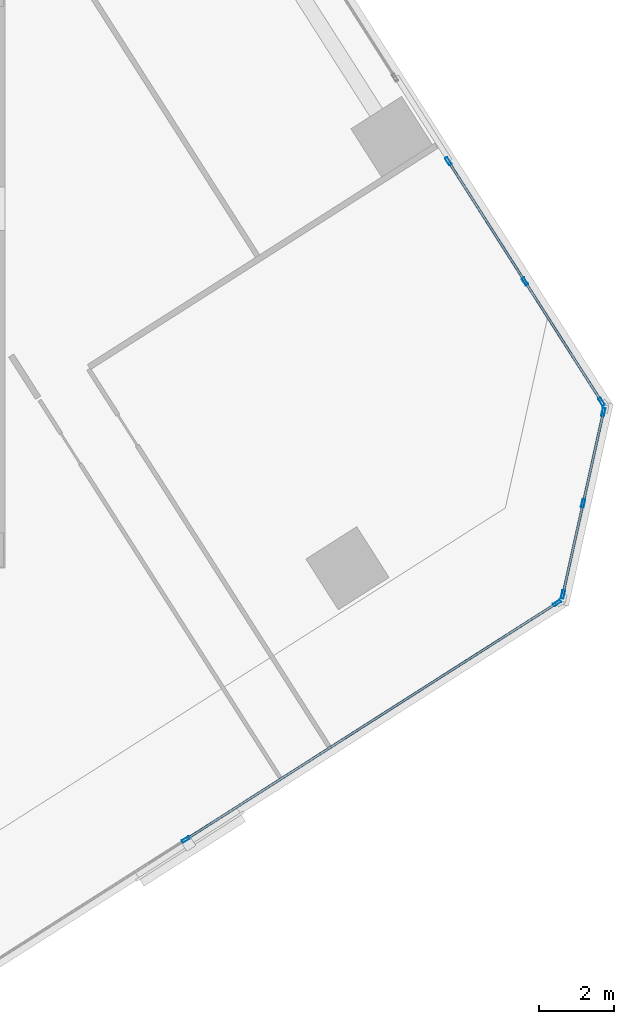
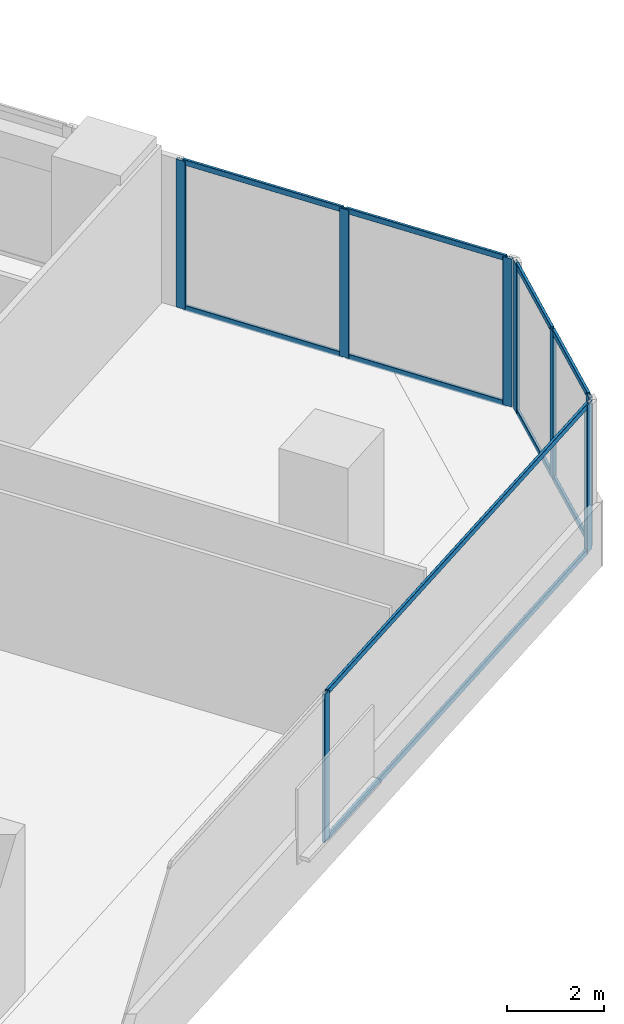
# One storey, part 5 of 14: 18 members, 3 elements without a shape of their own.
"""IFC4 building model written with IfcOpenShell, lengths in metres."""

from ifc_helpers import new_model, si_unit, direction, frame, origin, origin_2d, place, context, subcontext, project, spatial, hollow_rectangle, extrude, source, transform, mapped, material, material_profile, profile_set, type_object, element, aggregate, save


model = new_model("IFC4")

# Units and contexts
model_context = context("Model", 3, precision=1e-05, world=origin(), true_north=direction((0.0, 1.0)))
body_context = subcontext(model_context, "Body", "Model", "MODEL_VIEW")
ifc_project = project(units=[si_unit("LENGTHUNIT", "METRE"), si_unit("AREAUNIT", "SQUARE_METRE"), si_unit("VOLUMEUNIT", "CUBIC_METRE"), si_unit("PLANEANGLEUNIT", "RADIAN"), si_unit("MASSUNIT", "GRAM", prefix="KILO")], contexts=[model_context])

# Site, building, storey
site_placement = place(None, origin())
site = spatial("IfcSite", under=ifc_project, at=site_placement, CompositionType="ELEMENT")
building_placement = place(site_placement, origin())
building = spatial("IfcBuilding", under=site, at=building_placement, Name="Torre Montelarca", CompositionType="ELEMENT")
storey_placement = place(building_placement, frame((0.0, 0.0, 315.60009765625)))
storey = spatial("IfcBuildingStorey", under=building, at=storey_placement, Name="L71", CompositionType="ELEMENT", Elevation=315.60009765625)

# Curtain wall, members
ifc_material_1 = material(Name="Insulated low-E laminated glass", Category="glass")
curtain_wall_type = type_object("IfcCurtainWallType", Name="CW-SYS-Z4", PredefinedType="USERDEFINED", material=ifc_material_1)
curtain_wall_1_placement = place(storey_placement, origin())
curtain_wall_1 = element("IfcCurtainWall", 1, at=curtain_wall_1_placement, inside=storey, type_object=curtain_wall_type, Name="L71 Curtain Wall Run CW-T3-L71-E06-B1", ObjectType="UNITISED GLAZING", PredefinedType="USERDEFINED")
ifc_material_2 = material(Name="Anodised aluminium AA 6063-T6", Category="aluminium")
ifc_material_profile_1 = material_profile(ifc_material_2, hollow_rectangle(XDim=0.074951171875, YDim=0.219970703125, WallThickness=0.0048828125, InnerFilletRadius=0.0048828125, OuterFilletRadius=0.010009765625, at=origin_2d()), Name="ALU75X220X5", Category="aluminium")
ifc_profile_set_1 = profile_set([ifc_material_profile_1], Name="Anodised aluminium AA 6063-T6")
member_type_1 = type_object("IfcMemberType", Name="CWM-ALU220", PredefinedType="MULLION", material=ifc_profile_set_1)
shared_shape_1 = source(origin(), body_context, "Body", "SweptSolid", [
    extrude(hollow_rectangle(XDim=0.074951171875, YDim=0.219970703125, WallThickness=0.0048828125, InnerFilletRadius=0.0048828125, OuterFilletRadius=0.010009765625, at=origin_2d()), origin(), (0.0, 0.0, 1.0), 3.719970703125),
])
member_1_placement = place(storey_placement, frame((31.73828125, 16.85986328125, 0.0), z_axis=(0.0, 0.0, 1.0), x_axis=(-0.537301679311, 0.84339012646, 0.0)))
member_1 = element("IfcMember", 2, at=member_1_placement, type_object=member_type_1, Name="CW mullion 2", PredefinedType="MULLION", context=body_context, shape_type="MappedRepresentation", body=[
    mapped(shared_shape_1, transform((0.0, 0.0, 0.0), scale=1.0)),
])
member_2_placement = place(storey_placement, frame((41.60302734375, 23.14453125, 0.0), z_axis=(0.0, 0.0, 1.0), x_axis=(-0.537301679311, 0.84339012646, 0.0)))
member_2 = element("IfcMember", 3, at=member_2_placement, type_object=member_type_1, Name="CW mullion 3", PredefinedType="MULLION", context=body_context, shape_type="MappedRepresentation", body=[
    mapped(shared_shape_1, transform((0.0, 0.0, 0.0), scale=1.0)),
])

curtain_wall_2_placement = place(storey_placement, origin())
curtain_wall_2 = element("IfcCurtainWall", 4, at=curtain_wall_2_placement, inside=storey, type_object=curtain_wall_type, Name="L71 Curtain Wall Run CW-T3-L71-E07-B1", ObjectType="UNITISED GLAZING", PredefinedType="USERDEFINED")
member_3_placement = place(storey_placement, frame((41.761474609375, 23.37060546875, 0.0), z_axis=(0.0, 0.0, 1.0), x_axis=(-0.976295196425, 0.216443270716, 0.0)))
member_3 = element("IfcMember", 5, at=member_3_placement, type_object=member_type_1, Name="CW mullion 1", PredefinedType="MULLION", context=body_context, shape_type="MappedRepresentation", body=[
    mapped(shared_shape_1, transform((0.0, 0.0, 0.0), scale=1.0)),
])
member_4_placement = place(storey_placement, frame((42.299072265625, 25.795654296875, 0.0), z_axis=(0.0, 0.0, 1.0), x_axis=(-0.976295196425, 0.216443270716, 0.0)))
member_4 = element("IfcMember", 6, at=member_4_placement, type_object=member_type_1, Name="CW mullion 2", PredefinedType="MULLION", context=body_context, shape_type="MappedRepresentation", body=[
    mapped(shared_shape_1, transform((0.0, 0.0, 0.0), scale=1.0)),
])
member_5_placement = place(storey_placement, frame((42.836669921875, 28.220458984375, 0.0), z_axis=(0.0, 0.0, 1.0), x_axis=(-0.976295196425, 0.216443270716, 0.0)))
member_5 = element("IfcMember", 7, at=member_5_placement, type_object=member_type_1, Name="CW mullion 3", PredefinedType="MULLION", context=body_context, shape_type="MappedRepresentation", body=[
    mapped(shared_shape_1, transform((0.0, 0.0, 0.0), scale=1.0)),
])

curtain_wall_3_placement = place(storey_placement, origin())
curtain_wall_3 = element("IfcCurtainWall", 8, at=curtain_wall_3_placement, inside=storey, type_object=curtain_wall_type, Name="L71 Curtain Wall Run CW-T3-L71-E08-B1", ObjectType="UNITISED GLAZING", PredefinedType="USERDEFINED")
member_6_placement = place(storey_placement, frame((42.78857421875, 28.492431640625, 0.0), z_axis=(0.0, 0.0, 1.0), x_axis=(-0.8433918643, -0.537298951454, 0.0)))
member_6 = element("IfcMember", 9, at=member_6_placement, type_object=member_type_1, Name="CW mullion 1", PredefinedType="MULLION", context=body_context, shape_type="MappedRepresentation", body=[
    mapped(shared_shape_1, transform((0.0, 0.0, 0.0), scale=1.0)),
])
member_7_placement = place(storey_placement, frame((40.75244140625, 31.6884765625, 0.0), z_axis=(0.0, 0.0, 1.0), x_axis=(-0.8433918643, -0.537298951454, 0.0)))
member_7 = element("IfcMember", 10, at=member_7_placement, type_object=member_type_1, Name="CW mullion 2", PredefinedType="MULLION", context=body_context, shape_type="MappedRepresentation", body=[
    mapped(shared_shape_1, transform((0.0, 0.0, 0.0), scale=1.0)),
])
member_8_placement = place(storey_placement, frame((38.71630859375, 34.884521484375, 0.0), z_axis=(0.0, 0.0, 1.0), x_axis=(-0.8433918643, -0.537298951454, 0.0)))
member_8 = element("IfcMember", 11, at=member_8_placement, type_object=member_type_1, Name="CW mullion 3", PredefinedType="MULLION", context=body_context, shape_type="MappedRepresentation", body=[
    mapped(shared_shape_1, transform((0.0, 0.0, 0.0), scale=1.0)),
])

# Member
ifc_material_profile_2 = material_profile(ifc_material_2, hollow_rectangle(XDim=0.06494140625, YDim=0.139892578125, WallThickness=0.00390625, InnerFilletRadius=0.00390625, OuterFilletRadius=0.008056640625, at=origin_2d()), Name="ALU65X140X4", Category="aluminium")
ifc_profile_set_2 = profile_set([ifc_material_profile_2], Name="Anodised aluminium AA 6063-T6")
member_type_2 = type_object("IfcMemberType", Name="CWT-ALU140", PredefinedType="USERDEFINED", material=ifc_profile_set_2)
shared_shape_2 = source(origin(), body_context, "Body", "SweptSolid", [
    extrude(hollow_rectangle(XDim=0.06494140625, YDim=0.139892578125, WallThickness=0.00390625, InnerFilletRadius=0.00390625, OuterFilletRadius=0.008056640625, at=origin_2d()), origin(), (0.0, 0.0, 1.0), 2.40869140625),
])
member_9_placement = place(storey_placement, frame((42.30712890625, 25.832275390625, 0.032470703125), z_axis=(0.216404544516, 0.976303781163, 0.0), x_axis=(-0.976303781163, 0.216404544516, 0.0)))
member_9 = element("IfcMember", 12, at=member_9_placement, type_object=member_type_2, Name="CW transom 2.1", ObjectType="TRANSOM", PredefinedType="USERDEFINED", context=body_context, shape_type="MappedRepresentation", body=[
    mapped(shared_shape_2, transform((0.0, 0.0, 0.0), scale=1.0)),
])

member_10_placement = place(storey_placement, frame((42.30712890625, 25.832275390625, 3.6875), z_axis=(0.216404544516, 0.976303781163, 0.0), x_axis=(-0.976303781163, 0.216404544516, 0.0)))
member_10 = element("IfcMember", 13, at=member_10_placement, type_object=member_type_2, Name="CW transom 2.2", ObjectType="TRANSOM", PredefinedType="USERDEFINED", context=body_context, shape_type="MappedRepresentation", body=[
    mapped(shared_shape_2, transform((0.0, 0.0, 0.0), scale=1.0)),
])

shared_shape_3 = source(origin(), body_context, "Body", "SweptSolid", [
    extrude(hollow_rectangle(XDim=0.06494140625, YDim=0.139892578125, WallThickness=0.00390625, InnerFilletRadius=0.00390625, OuterFilletRadius=0.008056640625, at=origin_2d()), origin(), (0.0, 0.0, 1.0), 11.621826171875),
])
member_11_placement = place(storey_placement, frame((31.769775390625, 16.880126953125, 0.032470703125), z_axis=(0.843392367588, 0.537298161447, 0.0), x_axis=(-0.537298161447, 0.843392367588, 0.0)))
member_11 = element("IfcMember", 14, at=member_11_placement, type_object=member_type_2, Name="CW transom 2.1", ObjectType="TRANSOM", PredefinedType="USERDEFINED", context=body_context, shape_type="MappedRepresentation", body=[
    mapped(shared_shape_3, transform((0.0, 0.0, 0.0), scale=1.0)),
])

member_12_placement = place(storey_placement, frame((31.769775390625, 16.880126953125, 3.6875), z_axis=(0.843392367588, 0.537298161447, 0.0), x_axis=(-0.537298161447, 0.843392367588, 0.0)))
member_12 = element("IfcMember", 15, at=member_12_placement, type_object=member_type_2, Name="CW transom 2.2", ObjectType="TRANSOM", PredefinedType="USERDEFINED", context=body_context, shape_type="MappedRepresentation", body=[
    mapped(shared_shape_3, transform((0.0, 0.0, 0.0), scale=1.0)),
])

aggregate(curtain_wall_1, [member_1, member_2, member_11, member_12])

shared_shape_4 = source(origin(), body_context, "Body", "SweptSolid", [
    extrude(hollow_rectangle(XDim=0.06494140625, YDim=0.139892578125, WallThickness=0.00390625, InnerFilletRadius=0.00390625, OuterFilletRadius=0.008056640625, at=origin_2d()), origin(), (0.0, 0.0, 1.0), 2.408935546875),
])
member_13_placement = place(storey_placement, frame((41.76953125, 23.4072265625, 0.032470703125), z_axis=(0.216383131496, 0.976308527262, 0.0), x_axis=(-0.976308527262, 0.216383131496, 0.0)))
member_13 = element("IfcMember", 16, at=member_13_placement, type_object=member_type_2, Name="CW transom 1.1", ObjectType="TRANSOM", PredefinedType="USERDEFINED", context=body_context, shape_type="MappedRepresentation", body=[
    mapped(shared_shape_4, transform((0.0, 0.0, 0.0), scale=1.0)),
])

member_14_placement = place(storey_placement, frame((41.76953125, 23.4072265625, 3.6875), z_axis=(0.216383131496, 0.976308527262, 0.0), x_axis=(-0.976308527262, 0.216383131496, 0.0)))
member_14 = element("IfcMember", 17, at=member_14_placement, type_object=member_type_2, Name="CW transom 1.2", ObjectType="TRANSOM", PredefinedType="USERDEFINED", context=body_context, shape_type="MappedRepresentation", body=[
    mapped(shared_shape_4, transform((0.0, 0.0, 0.0), scale=1.0)),
])

aggregate(curtain_wall_2, [member_3, member_4, member_5, member_13, member_14, member_9, member_10])

shared_shape_5 = source(origin(), body_context, "Body", "SweptSolid", [
    extrude(hollow_rectangle(XDim=0.06494140625, YDim=0.139892578125, WallThickness=0.00390625, InnerFilletRadius=0.00390625, OuterFilletRadius=0.008056640625, at=origin_2d()), origin(), (0.0, 0.0, 1.0), 3.714599609375),
])
member_15_placement = place(storey_placement, frame((42.7685546875, 28.52392578125, 0.032470703125), z_axis=(-0.53730495728, 0.843388038143, 0.0), x_axis=(-0.843388038143, -0.53730495728, 0.0)))
member_15 = element("IfcMember", 18, at=member_15_placement, type_object=member_type_2, Name="CW transom 1.1", ObjectType="TRANSOM", PredefinedType="USERDEFINED", context=body_context, shape_type="MappedRepresentation", body=[
    mapped(shared_shape_5, transform((0.0, 0.0, 0.0), scale=1.0)),
])

member_16_placement = place(storey_placement, frame((42.7685546875, 28.52392578125, 3.6875), z_axis=(-0.53730495728, 0.843388038143, 0.0), x_axis=(-0.843388038143, -0.53730495728, 0.0)))
member_16 = element("IfcMember", 19, at=member_16_placement, type_object=member_type_2, Name="CW transom 1.2", ObjectType="TRANSOM", PredefinedType="USERDEFINED", context=body_context, shape_type="MappedRepresentation", body=[
    mapped(shared_shape_5, transform((0.0, 0.0, 0.0), scale=1.0)),
])

shared_shape_6 = source(origin(), body_context, "Body", "SweptSolid", [
    extrude(hollow_rectangle(XDim=0.06494140625, YDim=0.139892578125, WallThickness=0.00390625, InnerFilletRadius=0.00390625, OuterFilletRadius=0.008056640625, at=origin_2d()), origin(), (0.0, 0.0, 1.0), 3.71484375),
])
member_17_placement = place(storey_placement, frame((40.732421875, 31.719970703125, 0.032470703125), z_axis=(-0.537275174709, 0.843407011259, 0.0), x_axis=(-0.843407011259, -0.537275174709, 0.0)))
member_17 = element("IfcMember", 20, at=member_17_placement, type_object=member_type_2, Name="CW transom 2.1", ObjectType="TRANSOM", PredefinedType="USERDEFINED", context=body_context, shape_type="MappedRepresentation", body=[
    mapped(shared_shape_6, transform((0.0, 0.0, 0.0), scale=1.0)),
])

member_18_placement = place(storey_placement, frame((40.732421875, 31.719970703125, 3.6875), z_axis=(-0.537275174709, 0.843407011259, 0.0), x_axis=(-0.843407011259, -0.537275174709, 0.0)))
member_18 = element("IfcMember", 21, at=member_18_placement, type_object=member_type_2, Name="CW transom 2.2", ObjectType="TRANSOM", PredefinedType="USERDEFINED", context=body_context, shape_type="MappedRepresentation", body=[
    mapped(shared_shape_6, transform((0.0, 0.0, 0.0), scale=1.0)),
])

aggregate(curtain_wall_3, [member_6, member_7, member_8, member_15, member_16, member_17, member_18])

save(model, "model.ifc")
